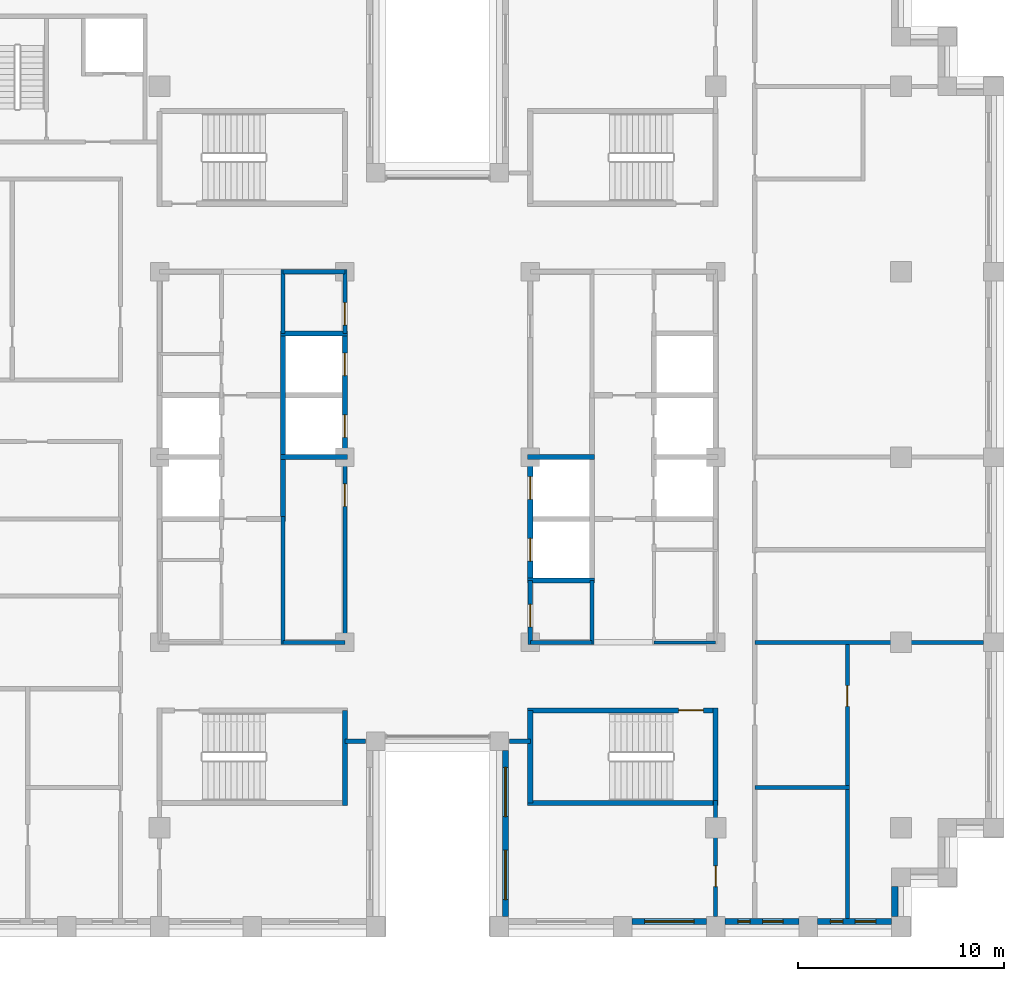
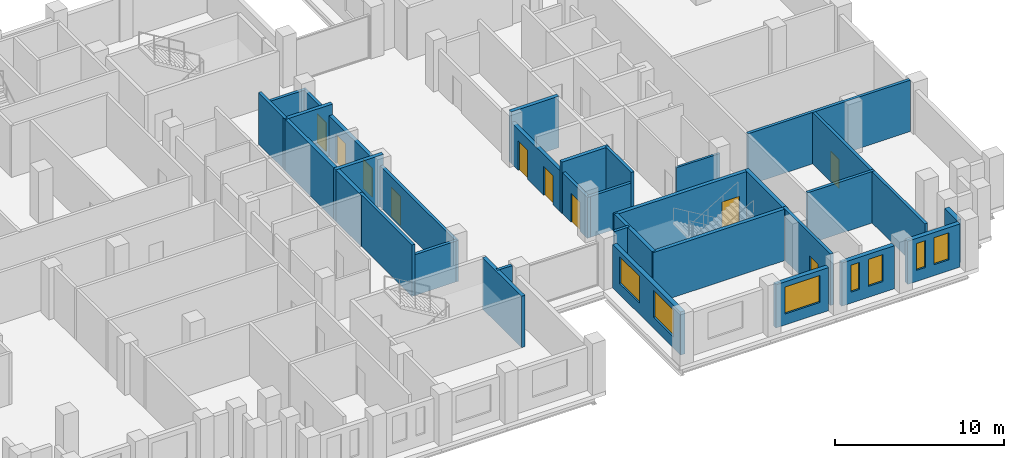
# One storey, part 8 of 15: 33 walls, 10 doors, 7 windows, 17 openings.
"""IFC4 building model written with IfcOpenShell, lengths in metres."""

from ifc_helpers import new_model, si_unit, direction, frame, frame_2d, origin, place, context, subcontext, project, spatial, rectangle, extrude, material, layer, layer_set, type_object, element, fill, save


model = new_model("IFC4")

# Units and contexts
model_context = context("Model", 3, precision=1e-05, world=origin(), true_north=direction((0.0, 1.0)))
body_context = subcontext(model_context, "Body", "Model", "MODEL_VIEW")
ifc_project = project(units=[si_unit("LENGTHUNIT", "METRE"), si_unit("AREAUNIT", "SQUARE_METRE"), si_unit("VOLUMEUNIT", "CUBIC_METRE"), si_unit("PLANEANGLEUNIT", "RADIAN"), si_unit("MASSUNIT", "GRAM", prefix="KILO")], contexts=[model_context])

# Site, building, storey
site_placement = place(None, origin())
site = spatial("IfcSite", under=ifc_project, at=site_placement, CompositionType="ELEMENT")
building_placement = place(site_placement, origin())
building = spatial("IfcBuilding", under=site, at=building_placement, Name="Corbelhall Arena Tower", CompositionType="ELEMENT")
storey_placement = place(building_placement, frame((0.0, 0.0, 212.0)))
storey = spatial("IfcBuildingStorey", under=building, at=storey_placement, Name="L44", CompositionType="ELEMENT", Elevation=212.0)

# Wall, openings, windows
ifc_material_1 = material(Name="Precast concrete C40/50 with granite facing", Category="masonry")
ifc_layer_1 = layer(ifc_material_1, 0.300048828125)
ifc_layer_set_1 = layer_set([ifc_layer_1], Name="EV-IW1 Infill panel 300")
wall_type_1 = type_object("IfcWallType", Name="EV-IW1 Infill panel 300", PredefinedType="SOLIDWALL", material=ifc_layer_set_1)
wall_1_placement = place(storey_placement, frame((3.300048828125, -14.25, 0.0), z_axis=(0.0, 0.0, 1.0), x_axis=(0.0, -1.0, 0.0)))
wall_1 = element("IfcWall", 1, at=wall_1_placement, inside=storey, type_object=wall_type_1, Name="Infill panel IW1", PredefinedType="SOLIDWALL", context=body_context, shape_type="SweptSolid", body=[
    extrude(rectangle(XDim=8.050048828125, YDim=0.300048828125, at=frame_2d((4.02490234375, 0.0))), origin(), (0.0, 0.0, 1.0), 3.1201171875),
])
opening_1_placement = place(wall_1_placement, frame((0.8125, 0.0, 0.800048828125)))
opening_1 = element("IfcOpeningElement", 2, at=opening_1_placement, cuts=wall_1, Name="Opening WN1", PredefinedType="OPENING", context=body_context, shape_type="SweptSolid", body=[
    extrude(rectangle(XDim=2.39990234375, YDim=1.949951171875, at=frame_2d((1.199951171875, 0.97509765625))), frame((0.0, 0.14990234375, 0.0), z_axis=(0.0, -1.0, 0.0), x_axis=(1.0, 0.0, 0.0)), (0.0, 0.0, 1.0), 0.300048828125),
])
opening_2_placement = place(wall_1_placement, frame((4.83740234375, 0.0, 0.800048828125)))
opening_2 = element("IfcOpeningElement", 3, at=opening_2_placement, cuts=wall_1, Name="Opening WN1", PredefinedType="OPENING", context=body_context, shape_type="SweptSolid", body=[
    extrude(rectangle(XDim=2.39990234375, YDim=1.949951171875, at=frame_2d((1.199951171875, 0.97509765625))), frame((0.0, 0.14990234375, 0.0), z_axis=(0.0, -1.0, 0.0), x_axis=(1.0, 0.0, 0.0)), (0.0, 0.0, 1.0), 0.300048828125),
])
ifc_material_2 = material(Name="Aluminium black anodised", Category="aluminium")
window_type_1 = type_object("IfcWindowType", Name="EV-WN1 Office window", PartitioningType="SINGLE_PANEL", PredefinedType="WINDOW", material=ifc_material_2)
window_1_placement = place(opening_1_placement, origin())
window_1 = element("IfcWindow", 4, at=window_1_placement, inside=storey, type_object=window_type_1, Name="Window WN1", OverallHeight=1.949951171875, OverallWidth=2.39990234375, PartitioningType="SINGLE_PANEL", PredefinedType="WINDOW", context=body_context, shape_type="SweptSolid", body=[
    extrude(rectangle(XDim=2.39990234375, YDim=1.949951171875, at=frame_2d((1.199951171875, 0.97509765625))), frame((0.0, 0.030029296875, 0.0), z_axis=(0.0, -1.0, 0.0), x_axis=(1.0, 0.0, 0.0)), (0.0, 0.0, 1.0), 0.06005859375),
])
fill(opening_1, window_1)
window_2_placement = place(opening_2_placement, origin())
window_2 = element("IfcWindow", 5, at=window_2_placement, inside=storey, type_object=window_type_1, Name="Window WN1", OverallHeight=1.949951171875, OverallWidth=2.39990234375, PartitioningType="SINGLE_PANEL", PredefinedType="WINDOW", context=body_context, shape_type="SweptSolid", body=[
    extrude(rectangle(XDim=2.39990234375, YDim=1.949951171875, at=frame_2d((1.199951171875, 0.97509765625))), frame((0.0, 0.030029296875, 0.0), z_axis=(0.0, -1.0, 0.0), x_axis=(1.0, 0.0, 0.0)), (0.0, 0.0, 1.0), 0.06005859375),
])
fill(opening_2, window_2)

# Wall, opening, window
wall_2_placement = place(storey_placement, frame((9.449951171875, -22.550048828125, 0.0), z_axis=(0.0, 0.0, 1.0), x_axis=(1.0, 0.0, 0.0)))
wall_2 = element("IfcWall", 6, at=wall_2_placement, inside=storey, type_object=wall_type_1, Name="Infill panel IW1", PredefinedType="SOLIDWALL", context=body_context, shape_type="SweptSolid", body=[
    extrude(rectangle(XDim=3.60009765625, YDim=0.300048828125, at=frame_2d((1.800048828125, 0.0))), origin(), (0.0, 0.0, 1.0), 3.1201171875),
])
opening_3_placement = place(wall_2_placement, frame((0.60009765625, 0.0, 0.800048828125)))
opening_3 = element("IfcOpeningElement", 7, at=opening_3_placement, cuts=wall_2, Name="Opening WN1", PredefinedType="OPENING", context=body_context, shape_type="SweptSolid", body=[
    extrude(rectangle(XDim=2.39990234375, YDim=1.949951171875, at=frame_2d((1.199951171875, 0.97509765625))), frame((0.0, 0.14990234375, 0.0), z_axis=(0.0, -1.0, 0.0), x_axis=(1.0, 0.0, 0.0)), (0.0, 0.0, 1.0), 0.300048828125),
])
window_3_placement = place(opening_3_placement, origin())
window_3 = element("IfcWindow", 8, at=window_3_placement, inside=storey, type_object=window_type_1, Name="Window WN1", OverallHeight=1.949951171875, OverallWidth=2.39990234375, PartitioningType="SINGLE_PANEL", PredefinedType="WINDOW", context=body_context, shape_type="SweptSolid", body=[
    extrude(rectangle(XDim=2.39990234375, YDim=1.949951171875, at=frame_2d((1.199951171875, 0.97509765625))), frame((0.0, 0.030029296875, 0.0), z_axis=(0.0, -1.0, 0.0), x_axis=(1.0, 0.0, 0.0)), (0.0, 0.0, 1.0), 0.06005859375),
])
fill(opening_3, window_3)

# Wall, openings, windows
wall_3_placement = place(storey_placement, frame((13.949951171875, -22.550048828125, 0.0), z_axis=(0.0, 0.0, 1.0), x_axis=(1.0, 0.0, 0.0)))
wall_3 = element("IfcWall", 9, at=wall_3_placement, inside=storey, type_object=wall_type_1, Name="Infill panel IW1", PredefinedType="SOLIDWALL", context=body_context, shape_type="SweptSolid", body=[
    extrude(rectangle(XDim=3.60009765625, YDim=0.300048828125, at=frame_2d((1.800048828125, 0.0))), origin(), (0.0, 0.0, 1.0), 3.1201171875),
])
opening_4_placement = place(wall_3_placement, frame((0.625, 0.0, 0.800048828125)))
opening_4 = element("IfcOpeningElement", 10, at=opening_4_placement, cuts=wall_3, Name="Opening WN5", PredefinedType="OPENING", context=body_context, shape_type="SweptSolid", body=[
    extrude(rectangle(XDim=0.60009765625, YDim=1.949951171875, at=frame_2d((0.300048828125, 0.97509765625))), frame((0.0, 0.14990234375, 0.0), z_axis=(0.0, -1.0, 0.0), x_axis=(1.0, 0.0, 0.0)), (0.0, 0.0, 1.0), 0.300048828125),
])
opening_5_placement = place(wall_3_placement, frame((1.824951171875, 0.0, 0.800048828125)))
opening_5 = element("IfcOpeningElement", 11, at=opening_5_placement, cuts=wall_3, Name="Opening WN6", PredefinedType="OPENING", context=body_context, shape_type="SweptSolid", body=[
    extrude(rectangle(XDim=1.0, YDim=1.949951171875, at=frame_2d((0.5, 0.97509765625))), frame((0.0, 0.14990234375, 0.0), z_axis=(0.0, -1.0, 0.0), x_axis=(1.0, 0.0, 0.0)), (0.0, 0.0, 1.0), 0.300048828125),
])
window_type_2 = type_object("IfcWindowType", Name="EV-WN5 Office window 600", PartitioningType="SINGLE_PANEL", PredefinedType="WINDOW", material=ifc_material_2)
window_4_placement = place(opening_4_placement, origin())
window_4 = element("IfcWindow", 12, at=window_4_placement, inside=storey, type_object=window_type_2, Name="Window WN5", OverallHeight=1.949951171875, OverallWidth=0.60009765625, PartitioningType="SINGLE_PANEL", PredefinedType="WINDOW", context=body_context, shape_type="SweptSolid", body=[
    extrude(rectangle(XDim=0.60009765625, YDim=1.949951171875, at=frame_2d((0.300048828125, 0.97509765625))), frame((0.0, 0.030029296875, 0.0), z_axis=(0.0, -1.0, 0.0), x_axis=(1.0, 0.0, 0.0)), (0.0, 0.0, 1.0), 0.06005859375),
])
fill(opening_4, window_4)
window_type_3 = type_object("IfcWindowType", Name="EV-WN6 Office window 1000", PartitioningType="SINGLE_PANEL", PredefinedType="WINDOW", material=ifc_material_2)
window_5_placement = place(opening_5_placement, origin())
window_5 = element("IfcWindow", 13, at=window_5_placement, inside=storey, type_object=window_type_3, Name="Window WN6", OverallHeight=1.949951171875, OverallWidth=1.0, PartitioningType="SINGLE_PANEL", PredefinedType="WINDOW", context=body_context, shape_type="SweptSolid", body=[
    extrude(rectangle(XDim=1.0, YDim=1.949951171875, at=frame_2d((0.5, 0.97509765625))), frame((0.0, 0.030029296875, 0.0), z_axis=(0.0, -1.0, 0.0), x_axis=(1.0, 0.0, 0.0)), (0.0, 0.0, 1.0), 0.06005859375),
])
fill(opening_5, window_5)

wall_4_placement = place(storey_placement, frame((18.449951171875, -22.550048828125, 0.0), z_axis=(0.0, 0.0, 1.0), x_axis=(1.0, 0.0, 0.0)))
wall_4 = element("IfcWall", 14, at=wall_4_placement, inside=storey, type_object=wall_type_1, Name="Infill panel IW1", PredefinedType="SOLIDWALL", context=body_context, shape_type="SweptSolid", body=[
    extrude(rectangle(XDim=3.60009765625, YDim=0.300048828125, at=frame_2d((1.800048828125, 0.0))), origin(), (0.0, 0.0, 1.0), 3.1201171875),
])
opening_6_placement = place(wall_4_placement, frame((0.625, 0.0, 0.800048828125)))
opening_6 = element("IfcOpeningElement", 15, at=opening_6_placement, cuts=wall_4, Name="Opening WN5", PredefinedType="OPENING", context=body_context, shape_type="SweptSolid", body=[
    extrude(rectangle(XDim=0.60009765625, YDim=1.949951171875, at=frame_2d((0.300048828125, 0.97509765625))), frame((0.0, 0.14990234375, 0.0), z_axis=(0.0, -1.0, 0.0), x_axis=(1.0, 0.0, 0.0)), (0.0, 0.0, 1.0), 0.300048828125),
])
opening_7_placement = place(wall_4_placement, frame((1.824951171875, 0.0, 0.800048828125)))
opening_7 = element("IfcOpeningElement", 16, at=opening_7_placement, cuts=wall_4, Name="Opening WN6", PredefinedType="OPENING", context=body_context, shape_type="SweptSolid", body=[
    extrude(rectangle(XDim=1.0, YDim=1.949951171875, at=frame_2d((0.5, 0.97509765625))), frame((0.0, 0.14990234375, 0.0), z_axis=(0.0, -1.0, 0.0), x_axis=(1.0, 0.0, 0.0)), (0.0, 0.0, 1.0), 0.300048828125),
])
window_6_placement = place(opening_6_placement, origin())
window_6 = element("IfcWindow", 17, at=window_6_placement, inside=storey, type_object=window_type_2, Name="Window WN5", OverallHeight=1.949951171875, OverallWidth=0.60009765625, PartitioningType="SINGLE_PANEL", PredefinedType="WINDOW", context=body_context, shape_type="SweptSolid", body=[
    extrude(rectangle(XDim=0.60009765625, YDim=1.949951171875, at=frame_2d((0.300048828125, 0.97509765625))), frame((0.0, 0.030029296875, 0.0), z_axis=(0.0, -1.0, 0.0), x_axis=(1.0, 0.0, 0.0)), (0.0, 0.0, 1.0), 0.06005859375),
])
fill(opening_6, window_6)
window_7_placement = place(opening_7_placement, origin())
window_7 = element("IfcWindow", 18, at=window_7_placement, inside=storey, type_object=window_type_3, Name="Window WN6", OverallHeight=1.949951171875, OverallWidth=1.0, PartitioningType="SINGLE_PANEL", PredefinedType="WINDOW", context=body_context, shape_type="SweptSolid", body=[
    extrude(rectangle(XDim=1.0, YDim=1.949951171875, at=frame_2d((0.5, 0.97509765625))), frame((0.0, 0.030029296875, 0.0), z_axis=(0.0, -1.0, 0.0), x_axis=(1.0, 0.0, 0.0)), (0.0, 0.0, 1.0), 0.06005859375),
])
fill(opening_7, window_7)

# Walls
wall_5_placement = place(storey_placement, frame((22.199951171875, -22.300048828125, 0.0), z_axis=(0.0, 0.0, 1.0), x_axis=(0.0, 1.0, 0.0)))
element("IfcWall", 19, at=wall_5_placement, inside=storey, type_object=wall_type_1, Name="Infill panel IW1", PredefinedType="SOLIDWALL", context=body_context, shape_type="SweptSolid", body=[
    extrude(rectangle(XDim=1.449951171875, YDim=0.300048828125, at=frame_2d((0.72509765625, 0.0))), origin(), (0.0, 0.0, 1.0), 3.1201171875),
])
ifc_material_3 = material(Name="Gypsum board on steel stud, acoustic", Category="steel")
ifc_layer_2 = layer(ifc_material_3, 0.199951171875)
ifc_layer_set_2 = layer_set([ifc_layer_2], Name="IN-W-DM200")
wall_type_2 = type_object("IfcWallType", Name="IN-W-DM200", PredefinedType="PARTITIONING", material=ifc_layer_set_2)
for number, where, z_axis, x_axis, name in (
    (20, (-3.5, -13.800048828125, 0.0), (0.0, 0.0, 1.0), (-1.0, 0.0, 0.0), "Partition 020"),
    (21, (4.5, -13.800048828125, 0.0), (0.0, 0.0, 1.0), (-1.0, 0.0, 0.0), "Partition 022"),
):
    element("IfcWall", number, at=place(storey_placement, frame(where, z_axis=z_axis, x_axis=x_axis)), inside=storey, type_object=wall_type_2, Name=name, PredefinedType="PARTITIONING", context=body_context, shape_type="SweptSolid", body=[
        extrude(rectangle(XDim=1.0, YDim=0.199951171875, at=frame_2d((0.5, 0.0))), origin(), (0.0, 0.0, 1.0), 3.719970703125),
    ])

# Wall, opening, door
wall_6_placement = place(storey_placement, frame((13.5, -22.300048828125, 0.0), z_axis=(0.0, 0.0, 1.0), x_axis=(0.0, 1.0, 0.0)))
wall_6 = element("IfcWall", 22, at=wall_6_placement, inside=storey, type_object=wall_type_2, Name="Partition 023", PredefinedType="PARTITIONING", context=body_context, shape_type="SweptSolid", body=[
    extrude(rectangle(XDim=5.625, YDim=0.199951171875, at=frame_2d((2.8125, 0.0))), origin(), (0.0, 0.0, 1.0), 3.719970703125),
])
opening_8_placement = place(wall_6_placement, frame((1.449951171875, 0.0, 0.0)))
opening_8 = element("IfcOpeningElement", 23, at=opening_8_placement, cuts=wall_6, Name="Opening 13023", PredefinedType="OPENING", context=body_context, shape_type="SweptSolid", body=[
    extrude(rectangle(XDim=1.0, YDim=2.10009765625, at=frame_2d((0.5, 1.050048828125))), frame((0.0, 0.10009765625, 0.0), z_axis=(0.0, -1.0, 0.0), x_axis=(1.0, 0.0, 0.0)), (0.0, 0.0, 1.0), 0.199951171875),
])
ifc_material_4 = material(Name="Steel door set", Category="steel")
door_type_1 = type_object("IfcDoorType", Name="IN-D-SW100", OperationType="NOTDEFINED", PredefinedType="DOOR", material=ifc_material_4)
door_1_placement = place(opening_8_placement, origin())
door_1 = element("IfcDoor", 24, at=door_1_placement, inside=storey, type_object=door_type_1, Name="Door 023", OperationType="SINGLE_SWING_RIGHT", OverallHeight=2.10009765625, OverallWidth=1.0, PredefinedType="DOOR", context=body_context, shape_type="SweptSolid", body=[
    extrude(rectangle(XDim=1.0, YDim=2.10009765625, at=frame_2d((0.5, 1.050048828125))), frame((0.0, 0.02490234375, 0.0), z_axis=(0.0, -1.0, 0.0), x_axis=(1.0, 0.0, 0.0)), (0.0, 0.0, 1.0), 0.050048828125),
])
fill(opening_8, door_1)

# Walls
wall_7_placement = place(storey_placement, frame((15.39990234375, -16.050048828125, 0.0), z_axis=(0.0, 0.0, 1.0), x_axis=(1.0, 0.0, 0.0)))
element("IfcWall", 25, at=wall_7_placement, inside=storey, type_object=wall_type_2, Name="Partition 025", PredefinedType="PARTITIONING", context=body_context, shape_type="SweptSolid", body=[
    extrude(rectangle(XDim=4.60009765625, YDim=0.199951171875, at=frame_2d((2.300048828125, 0.0))), origin(), (0.0, 0.0, 1.0), 3.719970703125),
])
wall_8_placement = place(storey_placement, frame((15.39990234375, -9.0, 0.0), z_axis=(0.0, 0.0, 1.0), x_axis=(1.0, 0.0, 0.0)))
element("IfcWall", 26, at=wall_8_placement, inside=storey, type_object=wall_type_2, Name="Partition 027", PredefinedType="PARTITIONING", context=body_context, shape_type="SweptSolid", body=[
    extrude(rectangle(XDim=11.10009765625, YDim=0.199951171875, at=frame_2d((5.550048828125, 0.0))), origin(), (0.0, 0.0, 1.0), 3.719970703125),
])

# Wall, opening, door
wall_9_placement = place(storey_placement, frame((19.89990234375, -8.89990234375, 0.0), z_axis=(0.0, 0.0, 1.0), x_axis=(0.0, -1.0, 0.0)))
wall_9 = element("IfcWall", 27, at=wall_9_placement, inside=storey, type_object=wall_type_2, Name="Partition 031", PredefinedType="PARTITIONING", context=body_context, shape_type="SweptSolid", body=[
    extrude(rectangle(XDim=13.5, YDim=0.199951171875, at=frame_2d((6.75, 0.0))), origin(), (0.0, 0.0, 1.0), 3.719970703125),
])
opening_9_placement = place(wall_9_placement, frame((2.199951171875, 0.0, 0.0)))
opening_9 = element("IfcOpeningElement", 28, at=opening_9_placement, cuts=wall_9, Name="Opening 13037", PredefinedType="OPENING", context=body_context, shape_type="SweptSolid", body=[
    extrude(rectangle(XDim=1.0, YDim=2.10009765625, at=frame_2d((0.5, 1.050048828125))), frame((0.0, 0.10009765625, 0.0), z_axis=(0.0, -1.0, 0.0), x_axis=(1.0, 0.0, 0.0)), (0.0, 0.0, 1.0), 0.199951171875),
])
door_2_placement = place(opening_9_placement, origin())
door_2 = element("IfcDoor", 29, at=door_2_placement, inside=storey, type_object=door_type_1, Name="Door 037", OperationType="SINGLE_SWING_RIGHT", OverallHeight=2.10009765625, OverallWidth=1.0, PredefinedType="DOOR", context=body_context, shape_type="SweptSolid", body=[
    extrude(rectangle(XDim=1.0, YDim=2.10009765625, at=frame_2d((0.5, 1.050048828125))), frame((0.0, 0.02490234375, 0.0), z_axis=(0.0, -1.0, 0.0), x_axis=(1.0, 0.0, 0.0)), (0.0, 0.0, 1.0), 0.050048828125),
])
fill(opening_9, door_2)

# Walls
ifc_material_5 = material(Name="Concrete block wall", Category="concrete")
ifc_layer_3 = layer(ifc_material_5, 0.199951171875)
ifc_layer_set_3 = layer_set([ifc_layer_3], Name="IN-W-RS200")
wall_type_3 = type_object("IfcWallType", Name="IN-W-RS200", PredefinedType="SOLIDWALL", material=ifc_layer_set_3)
wall_10_placement = place(storey_placement, frame((-7.5, -9.10009765625, 0.0), z_axis=(0.0, 0.0, 1.0), x_axis=(0.0, 1.0, 0.0)))
element("IfcWall", 30, at=wall_10_placement, inside=storey, type_object=wall_type_3, Name="Partition 039", PredefinedType="SOLIDWALL", context=body_context, shape_type="SweptSolid", body=[
    extrude(rectangle(XDim=6.22509765625, YDim=0.199951171875, at=frame_2d((3.112548828125, 0.0))), origin(), (0.0, 0.0, 1.0), 3.719970703125),
])
for number, where, z_axis, x_axis, name in (
    (31, (-7.5, 6.0, 0.0), (0.0, 0.0, 1.0), (0.0, 1.0, 0.0), "Partition 040"),
    (32, (7.5, -6.0, 0.0), (0.0, 0.0, 1.0), (0.0, -1.0, 0.0), "Partition 049"),
):
    element("IfcWall", number, at=place(storey_placement, frame(where, z_axis=z_axis, x_axis=x_axis)), inside=storey, type_object=wall_type_3, Name=name, PredefinedType="SOLIDWALL", context=body_context, shape_type="SweptSolid", body=[
        extrude(rectangle(XDim=3.10009765625, YDim=0.199951171875, at=frame_2d((1.550048828125, 0.0))), origin(), (0.0, 0.0, 1.0), 3.719970703125),
    ])
ifc_layer_4 = layer(ifc_material_5, 0.199951171875)
ifc_layer_set_4 = layer_set([ifc_layer_4], Name="IN-W-RS200 under beam 762 mm")
wall_type_4 = type_object("IfcWallType", Name="IN-W-RS200 under beam 762 mm", PredefinedType="SOLIDWALL", material=ifc_layer_set_4)
for number, where, z_axis, x_axis, name in (
    (33, (-7.5, 9.0, 0.0), (0.0, 0.0, 1.0), (1.0, 0.0, 0.0), "Partition 041"),
    (34, (-4.5, -9.0, 0.0), (0.0, 0.0, 1.0), (-1.0, 0.0, 0.0), "Partition 042"),
):
    element("IfcWall", number, at=place(storey_placement, frame(where, z_axis=z_axis, x_axis=x_axis)), inside=storey, type_object=wall_type_4, Name=name, PredefinedType="SOLIDWALL", context=body_context, shape_type="SweptSolid", body=[
        extrude(rectangle(XDim=3.0, YDim=0.199951171875, at=frame_2d((1.5, 0.0))), origin(), (0.0, 0.0, 1.0), 2.9580078125),
    ])

# Wall, opening, door
wall_11_placement = place(storey_placement, frame((-4.5, 0.0, 0.0), z_axis=(0.0, 0.0, 1.0), x_axis=(0.0, -1.0, 0.0)))
wall_11 = element("IfcWall", 35, at=wall_11_placement, inside=storey, type_object=wall_type_4, Name="Partition 043", PredefinedType="SOLIDWALL", context=body_context, shape_type="SweptSolid", body=[
    extrude(rectangle(XDim=9.10009765625, YDim=0.199951171875, at=frame_2d((4.550048828125, 0.0))), origin(), (0.0, 0.0, 1.0), 2.9580078125),
])
opening_10_placement = place(wall_11_placement, frame((1.300048828125, 0.0, 0.0)))
opening_10 = element("IfcOpeningElement", 36, at=opening_10_placement, cuts=wall_11, Name="Opening 13001", PredefinedType="OPENING", context=body_context, shape_type="SweptSolid", body=[
    extrude(rectangle(XDim=1.10009765625, YDim=2.10009765625, at=frame_2d((0.550048828125, 1.050048828125))), frame((0.0, 0.10009765625, 0.0), z_axis=(0.0, -1.0, 0.0), x_axis=(1.0, 0.0, 0.0)), (0.0, 0.0, 1.0), 0.199951171875),
])
door_type_2 = type_object("IfcDoorType", Name="IN-D-FD110", OperationType="NOTDEFINED", PredefinedType="DOOR", material=ifc_material_4)
door_3_placement = place(opening_10_placement, origin())
door_3 = element("IfcDoor", 37, at=door_3_placement, inside=storey, type_object=door_type_2, Name="Door 001", OperationType="SINGLE_SWING_RIGHT", OverallHeight=2.10009765625, OverallWidth=1.10009765625, PredefinedType="DOOR", context=body_context, shape_type="SweptSolid", body=[
    extrude(rectangle(XDim=1.10009765625, YDim=2.10009765625, at=frame_2d((0.550048828125, 1.050048828125))), frame((0.0, 0.02490234375, 0.0), z_axis=(0.0, -1.0, 0.0), x_axis=(1.0, 0.0, 0.0)), (0.0, 0.0, 1.0), 0.050048828125),
])
fill(opening_10, door_3)

wall_12_placement = place(storey_placement, frame((-4.5, 9.10009765625, 0.0), z_axis=(0.0, 0.0, 1.0), x_axis=(0.0, -1.0, 0.0)))
wall_12 = element("IfcWall", 38, at=wall_12_placement, inside=storey, type_object=wall_type_4, Name="Partition 044", PredefinedType="SOLIDWALL", context=body_context, shape_type="SweptSolid", body=[
    extrude(rectangle(XDim=3.10009765625, YDim=0.199951171875, at=frame_2d((1.550048828125, 0.0))), origin(), (0.0, 0.0, 1.0), 2.9580078125),
])
opening_11_placement = place(wall_12_placement, frame((1.60009765625, 0.0, 0.0)))
opening_11 = element("IfcOpeningElement", 39, at=opening_11_placement, cuts=wall_12, Name="Opening 13002", PredefinedType="OPENING", context=body_context, shape_type="SweptSolid", body=[
    extrude(rectangle(XDim=1.10009765625, YDim=2.10009765625, at=frame_2d((0.550048828125, 1.050048828125))), frame((0.0, 0.10009765625, 0.0), z_axis=(0.0, -1.0, 0.0), x_axis=(1.0, 0.0, 0.0)), (0.0, 0.0, 1.0), 0.199951171875),
])
door_4_placement = place(opening_11_placement, origin())
door_4 = element("IfcDoor", 40, at=door_4_placement, inside=storey, type_object=door_type_2, Name="Door 002", OperationType="SINGLE_SWING_LEFT", OverallHeight=2.10009765625, OverallWidth=1.10009765625, PredefinedType="DOOR", context=body_context, shape_type="SweptSolid", body=[
    extrude(rectangle(XDim=1.10009765625, YDim=2.10009765625, at=frame_2d((0.550048828125, 1.050048828125))), frame((0.0, 0.02490234375, 0.0), z_axis=(0.0, -1.0, 0.0), x_axis=(1.0, 0.0, 0.0)), (0.0, 0.0, 1.0), 0.050048828125),
])
fill(opening_11, door_4)

wall_13_placement = place(storey_placement, frame((4.5, -9.10009765625, 0.0), z_axis=(0.0, 0.0, 1.0), x_axis=(0.0, 1.0, 0.0)))
wall_13 = element("IfcWall", 41, at=wall_13_placement, inside=storey, type_object=wall_type_4, Name="Partition 045", PredefinedType="SOLIDWALL", context=body_context, shape_type="SweptSolid", body=[
    extrude(rectangle(XDim=3.10009765625, YDim=0.199951171875, at=frame_2d((1.550048828125, 0.0))), origin(), (0.0, 0.0, 1.0), 2.9580078125),
])
opening_12_placement = place(wall_13_placement, frame((0.85009765625, 0.0, 0.0)))
opening_12 = element("IfcOpeningElement", 42, at=opening_12_placement, cuts=wall_13, Name="Opening 13008", PredefinedType="OPENING", context=body_context, shape_type="SweptSolid", body=[
    extrude(rectangle(XDim=1.10009765625, YDim=2.10009765625, at=frame_2d((0.550048828125, 1.050048828125))), frame((0.0, 0.10009765625, 0.0), z_axis=(0.0, -1.0, 0.0), x_axis=(1.0, 0.0, 0.0)), (0.0, 0.0, 1.0), 0.199951171875),
])
door_5_placement = place(opening_12_placement, origin())
door_5 = element("IfcDoor", 43, at=door_5_placement, inside=storey, type_object=door_type_2, Name="Door 008", OperationType="SINGLE_SWING_LEFT", OverallHeight=2.10009765625, OverallWidth=1.10009765625, PredefinedType="DOOR", context=body_context, shape_type="SweptSolid", body=[
    extrude(rectangle(XDim=1.10009765625, YDim=2.10009765625, at=frame_2d((0.550048828125, 1.050048828125))), frame((0.0, 0.02490234375, 0.0), z_axis=(0.0, -1.0, 0.0), x_axis=(1.0, 0.0, 0.0)), (0.0, 0.0, 1.0), 0.050048828125),
])
fill(opening_12, door_5)

# Walls
wall_14_placement = place(storey_placement, frame((7.5, -9.0, 0.0), z_axis=(0.0, 0.0, 1.0), x_axis=(-1.0, 0.0, 0.0)))
element("IfcWall", 44, at=wall_14_placement, inside=storey, type_object=wall_type_4, Name="Partition 048", PredefinedType="SOLIDWALL", context=body_context, shape_type="SweptSolid", body=[
    extrude(rectangle(XDim=3.0, YDim=0.199951171875, at=frame_2d((1.5, 0.0))), origin(), (0.0, 0.0, 1.0), 2.9580078125),
])
ifc_material_6 = material(Name="Concrete C40/50", Category="concrete")
ifc_layer_5 = layer(ifc_material_6, 0.25)
ifc_layer_set_5 = layer_set([ifc_layer_5], Name="IN-W-SH250")
wall_type_5 = type_object("IfcWallType", Name="IN-W-SH250", PredefinedType="SOLIDWALL", material=ifc_layer_set_5)
for number, where, z_axis, x_axis, name in (
    (45, (-7.625, 0.0, 0.0), (0.0, 0.0, 1.0), (1.0, 0.0, 0.0), "Shaft wall 061"),
    (46, (-7.625, 6.0, 0.0), (0.0, 0.0, 1.0), (1.0, 0.0, 0.0), "Shaft wall 062"),
):
    element("IfcWall", number, at=place(storey_placement, frame(where, z_axis=z_axis, x_axis=x_axis)), inside=storey, type_object=wall_type_5, Name=name, PredefinedType="SOLIDWALL", context=body_context, shape_type="SweptSolid", body=[
        extrude(rectangle(XDim=3.25, YDim=0.25, at=frame_2d((1.625, 0.0))), origin(), (0.0, 0.0, 1.0), 3.719970703125),
    ])
wall_15_placement = place(storey_placement, frame((-7.5, -3.125, 0.0), z_axis=(0.0, 0.0, 1.0), x_axis=(0.0, 1.0, 0.0)))
element("IfcWall", 47, at=wall_15_placement, inside=storey, type_object=wall_type_5, Name="Shaft wall 063", PredefinedType="SOLIDWALL", context=body_context, shape_type="SweptSolid", body=[
    extrude(rectangle(XDim=9.125, YDim=0.25, at=frame_2d((4.5625, 0.0))), origin(), (0.0, 0.0, 1.0), 3.719970703125),
])
for number, where, z_axis, x_axis, name in (
    (48, (4.375, -6.0, 0.0), (0.0, 0.0, 1.0), (1.0, 0.0, 0.0), "Shaft wall 065"),
    (49, (4.375, 0.0, 0.0), (0.0, 0.0, 1.0), (1.0, 0.0, 0.0), "Shaft wall 067"),
):
    element("IfcWall", number, at=place(storey_placement, frame(where, z_axis=z_axis, x_axis=x_axis)), inside=storey, type_object=wall_type_5, Name=name, PredefinedType="SOLIDWALL", context=body_context, shape_type="SweptSolid", body=[
        extrude(rectangle(XDim=3.25, YDim=0.25, at=frame_2d((1.625, 0.0))), origin(), (0.0, 0.0, 1.0), 3.719970703125),
    ])

# Wall, openings, doors
ifc_layer_6 = layer(ifc_material_6, 0.25)
ifc_layer_set_6 = layer_set([ifc_layer_6], Name="IN-W-SH250 under beam 762 mm")
wall_type_6 = type_object("IfcWallType", Name="IN-W-SH250 under beam 762 mm", PredefinedType="SOLIDWALL", material=ifc_layer_set_6)
wall_16_placement = place(storey_placement, frame((-4.5, 6.0, 0.0), z_axis=(0.0, 0.0, 1.0), x_axis=(0.0, -1.0, 0.0)))
wall_16 = element("IfcWall", 50, at=wall_16_placement, inside=storey, type_object=wall_type_6, Name="Shaft wall 064", PredefinedType="SOLIDWALL", context=body_context, shape_type="SweptSolid", body=[
    extrude(rectangle(XDim=6.0, YDim=0.25, at=frame_2d((3.0, 0.0))), origin(), (0.0, 0.0, 1.0), 2.9580078125),
])
opening_13_placement = place(wall_16_placement, frame((3.949951171875, 0.0, 0.0)))
opening_13 = element("IfcOpeningElement", 51, at=opening_13_placement, cuts=wall_16, Name="Opening LD", PredefinedType="OPENING", context=body_context, shape_type="SweptSolid", body=[
    extrude(rectangle(XDim=1.10009765625, YDim=2.10009765625, at=frame_2d((0.550048828125, 1.050048828125))), frame((0.0, 0.125, 0.0), z_axis=(0.0, -1.0, 0.0), x_axis=(1.0, 0.0, 0.0)), (0.0, 0.0, 1.0), 0.25),
])
opening_14_placement = place(wall_16_placement, frame((0.949951171875, 0.0, 0.0)))
opening_14 = element("IfcOpeningElement", 52, at=opening_14_placement, cuts=wall_16, Name="Opening LD", PredefinedType="OPENING", context=body_context, shape_type="SweptSolid", body=[
    extrude(rectangle(XDim=1.10009765625, YDim=2.10009765625, at=frame_2d((0.550048828125, 1.050048828125))), frame((0.0, 0.125, 0.0), z_axis=(0.0, -1.0, 0.0), x_axis=(1.0, 0.0, 0.0)), (0.0, 0.0, 1.0), 0.25),
])
door_type_3 = type_object("IfcDoorType", Name="IN-D-LD110", OperationType="NOTDEFINED", PredefinedType="DOOR", material=ifc_material_4)
door_6_placement = place(opening_13_placement, origin())
door_6 = element("IfcDoor", 53, at=door_6_placement, inside=storey, type_object=door_type_3, Name="Landing door W4", OperationType="SLIDING_TO_LEFT", OverallHeight=2.10009765625, OverallWidth=1.10009765625, PredefinedType="DOOR", context=body_context, shape_type="SweptSolid", body=[
    extrude(rectangle(XDim=1.10009765625, YDim=2.10009765625, at=frame_2d((0.550048828125, 1.050048828125))), frame((0.0, 0.02490234375, 0.0), z_axis=(0.0, -1.0, 0.0), x_axis=(1.0, 0.0, 0.0)), (0.0, 0.0, 1.0), 0.050048828125),
])
fill(opening_13, door_6)
door_7_placement = place(opening_14_placement, origin())
door_7 = element("IfcDoor", 54, at=door_7_placement, inside=storey, type_object=door_type_3, Name="Landing door W5", OperationType="SLIDING_TO_LEFT", OverallHeight=2.10009765625, OverallWidth=1.10009765625, PredefinedType="DOOR", context=body_context, shape_type="SweptSolid", body=[
    extrude(rectangle(XDim=1.10009765625, YDim=2.10009765625, at=frame_2d((0.550048828125, 1.050048828125))), frame((0.0, 0.02490234375, 0.0), z_axis=(0.0, -1.0, 0.0), x_axis=(1.0, 0.0, 0.0)), (0.0, 0.0, 1.0), 0.050048828125),
])
fill(opening_14, door_7)

wall_17_placement = place(storey_placement, frame((4.5, -6.0, 0.0), z_axis=(0.0, 0.0, 1.0), x_axis=(0.0, 1.0, 0.0)))
wall_17 = element("IfcWall", 55, at=wall_17_placement, inside=storey, type_object=wall_type_6, Name="Shaft wall 068", PredefinedType="SOLIDWALL", context=body_context, shape_type="SweptSolid", body=[
    extrude(rectangle(XDim=6.0, YDim=0.25, at=frame_2d((3.0, 0.0))), origin(), (0.0, 0.0, 1.0), 2.9580078125),
])
opening_15_placement = place(wall_17_placement, frame((0.949951171875, 0.0, 0.0)))
opening_15 = element("IfcOpeningElement", 56, at=opening_15_placement, cuts=wall_17, Name="Opening LD", PredefinedType="OPENING", context=body_context, shape_type="SweptSolid", body=[
    extrude(rectangle(XDim=1.10009765625, YDim=2.10009765625, at=frame_2d((0.550048828125, 1.050048828125))), frame((0.0, 0.125, 0.0), z_axis=(0.0, -1.0, 0.0), x_axis=(1.0, 0.0, 0.0)), (0.0, 0.0, 1.0), 0.25),
])
opening_16_placement = place(wall_17_placement, frame((3.949951171875, 0.0, 0.0)))
opening_16 = element("IfcOpeningElement", 57, at=opening_16_placement, cuts=wall_17, Name="Opening LD", PredefinedType="OPENING", context=body_context, shape_type="SweptSolid", body=[
    extrude(rectangle(XDim=1.10009765625, YDim=2.10009765625, at=frame_2d((0.550048828125, 1.050048828125))), frame((0.0, 0.125, 0.0), z_axis=(0.0, -1.0, 0.0), x_axis=(1.0, 0.0, 0.0)), (0.0, 0.0, 1.0), 0.25),
])
door_8_placement = place(opening_15_placement, origin())
door_8 = element("IfcDoor", 58, at=door_8_placement, inside=storey, type_object=door_type_3, Name="Landing door E2", OperationType="SLIDING_TO_LEFT", OverallHeight=2.10009765625, OverallWidth=1.10009765625, PredefinedType="DOOR", context=body_context, shape_type="SweptSolid", body=[
    extrude(rectangle(XDim=1.10009765625, YDim=2.10009765625, at=frame_2d((0.550048828125, 1.050048828125))), frame((0.0, 0.02490234375, 0.0), z_axis=(0.0, -1.0, 0.0), x_axis=(1.0, 0.0, 0.0)), (0.0, 0.0, 1.0), 0.050048828125),
])
fill(opening_15, door_8)
door_9_placement = place(opening_16_placement, origin())
door_9 = element("IfcDoor", 59, at=door_9_placement, inside=storey, type_object=door_type_3, Name="Landing door E3", OperationType="SLIDING_TO_LEFT", OverallHeight=2.10009765625, OverallWidth=1.10009765625, PredefinedType="DOOR", context=body_context, shape_type="SweptSolid", body=[
    extrude(rectangle(XDim=1.10009765625, YDim=2.10009765625, at=frame_2d((0.550048828125, 1.050048828125))), frame((0.0, 0.02490234375, 0.0), z_axis=(0.0, -1.0, 0.0), x_axis=(1.0, 0.0, 0.0)), (0.0, 0.0, 1.0), 0.050048828125),
])
fill(opening_16, door_9)

# Walls
ifc_layer_7 = layer(ifc_material_6, 0.25)
ifc_layer_set_7 = layer_set([ifc_layer_7], Name="IN-W-ST250")
wall_type_7 = type_object("IfcWallType", Name="IN-W-ST250", PredefinedType="SOLIDWALL", material=ifc_layer_set_7)
wall_18_placement = place(storey_placement, frame((-4.5, -12.300048828125, 0.0), z_axis=(0.0, 0.0, 1.0), x_axis=(0.0, -1.0, 0.0)))
element("IfcWall", 60, at=wall_18_placement, inside=storey, type_object=wall_type_7, Name="Shaft wall 086", PredefinedType="SOLIDWALL", context=body_context, shape_type="SweptSolid", body=[
    extrude(rectangle(XDim=4.625, YDim=0.25, at=frame_2d((2.3125, 0.0))), origin(), (0.0, 0.0, 1.0), 3.719970703125),
])
wall_19_placement = place(storey_placement, frame((4.5, -16.800048828125, 0.0), z_axis=(0.0, 0.0, 1.0), x_axis=(0.0, 1.0, 0.0)))
element("IfcWall", 61, at=wall_19_placement, inside=storey, type_object=wall_type_7, Name="Shaft wall 092", PredefinedType="SOLIDWALL", context=body_context, shape_type="SweptSolid", body=[
    extrude(rectangle(XDim=4.5, YDim=0.25, at=frame_2d((2.25, 0.0))), origin(), (0.0, 0.0, 1.0), 3.719970703125),
])
wall_20_placement = place(storey_placement, frame((13.5, -16.925048828125, 0.0), z_axis=(0.0, 0.0, 1.0), x_axis=(0.0, 1.0, 0.0)))
element("IfcWall", 62, at=wall_20_placement, inside=storey, type_object=wall_type_7, Name="Shaft wall 094", PredefinedType="SOLIDWALL", context=body_context, shape_type="SweptSolid", body=[
    extrude(rectangle(XDim=4.75, YDim=0.25, at=frame_2d((2.375, 0.0))), origin(), (0.0, 0.0, 1.0), 3.719970703125),
])
wall_21_placement = place(storey_placement, frame((13.5, -16.800048828125, 0.0), z_axis=(0.0, 0.0, 1.0), x_axis=(-1.0, 0.0, 0.0)))
element("IfcWall", 63, at=wall_21_placement, inside=storey, type_object=wall_type_7, Name="Shaft wall 095", PredefinedType="SOLIDWALL", context=body_context, shape_type="SweptSolid", body=[
    extrude(rectangle(XDim=9.125, YDim=0.25, at=frame_2d((4.5625, 0.0))), origin(), (0.0, 0.0, 1.0), 3.719970703125),
])

# Wall, opening, door
wall_22_placement = place(storey_placement, frame((13.5, -12.300048828125, 0.0), z_axis=(0.0, 0.0, 1.0), x_axis=(-1.0, 0.0, 0.0)))
wall_22 = element("IfcWall", 64, at=wall_22_placement, inside=storey, type_object=wall_type_7, Name="Shaft wall 096", PredefinedType="SOLIDWALL", context=body_context, shape_type="SweptSolid", body=[
    extrude(rectangle(XDim=9.125, YDim=0.25, at=frame_2d((4.5625, 0.0))), origin(), (0.0, 0.0, 1.0), 3.719970703125),
])
opening_17_placement = place(wall_22_placement, frame((0.60009765625, 0.0, 0.0)))
opening_17 = element("IfcOpeningElement", 65, at=opening_17_placement, cuts=wall_22, Name="Opening 13018", PredefinedType="OPENING", context=body_context, shape_type="SweptSolid", body=[
    extrude(rectangle(XDim=1.199951171875, YDim=2.10009765625, at=frame_2d((0.60009765625, 1.050048828125))), frame((0.0, 0.125, 0.0), z_axis=(0.0, -1.0, 0.0), x_axis=(1.0, 0.0, 0.0)), (0.0, 0.0, 1.0), 0.25),
])
door_type_4 = type_object("IfcDoorType", Name="IN-D-ST120", OperationType="NOTDEFINED", PredefinedType="DOOR", material=ifc_material_4)
door_10_placement = place(opening_17_placement, origin())
door_10 = element("IfcDoor", 66, at=door_10_placement, inside=storey, type_object=door_type_4, Name="Door 018", OperationType="SINGLE_SWING_LEFT", OverallHeight=2.10009765625, OverallWidth=1.199951171875, PredefinedType="DOOR", context=body_context, shape_type="SweptSolid", body=[
    extrude(rectangle(XDim=1.199951171875, YDim=2.10009765625, at=frame_2d((0.60009765625, 1.050048828125))), frame((0.0, 0.02490234375, 0.0), z_axis=(0.0, -1.0, 0.0), x_axis=(1.0, 0.0, 0.0)), (0.0, 0.0, 1.0), 0.050048828125),
])
fill(opening_17, door_10)

# Wall
ifc_material_7 = material(Name="Gypsum board on steel stud, moisture resistant", Category="steel")
ifc_layer_8 = layer(ifc_material_7, 0.14990234375)
ifc_layer_set_8 = layer_set([ifc_layer_8], Name="IN-W-WC150 under beam 762 mm")
wall_type_8 = type_object("IfcWallType", Name="IN-W-WC150 under beam 762 mm", PredefinedType="PARTITIONING", material=ifc_layer_set_8)
wall_23_placement = place(storey_placement, frame((13.5, -9.0, 0.0), z_axis=(0.0, 0.0, 1.0), x_axis=(-1.0, 0.0, 0.0)))
element("IfcWall", 67, at=wall_23_placement, inside=storey, type_object=wall_type_8, Name="Partition 107", PredefinedType="PARTITIONING", context=body_context, shape_type="SweptSolid", body=[
    extrude(rectangle(XDim=3.0, YDim=0.14990234375, at=frame_2d((1.5, 0.0))), origin(), (0.0, 0.0, 1.0), 2.9580078125),
])

save(model, "model.ifc")
